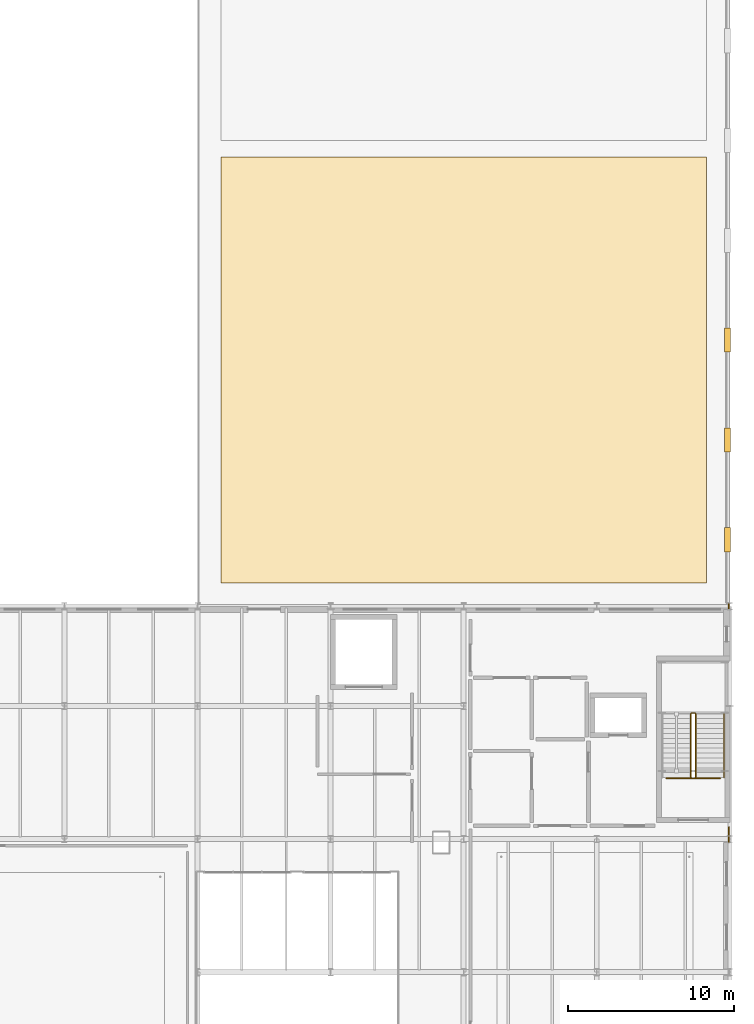
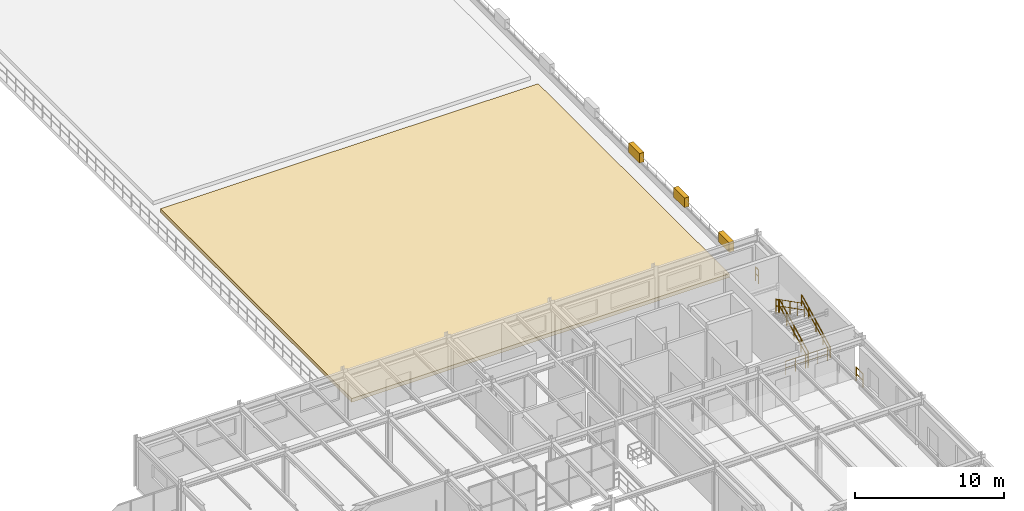
# One storey, part 66 of 67: 9 railings, 4 coverings.
"""IFC4 building model written with IfcOpenShell, lengths in metres."""

import ifcopenshell
import ifcopenshell.guid

model = None  # the IFC model being written
_history = None  # IfcOwnerHistory: only IFC2X3 demands one
_inside = {}  # id of a spatial element -> (the spatial element, [elements in it])
_under = {}  # id of a project, library or spatial element -> (it, [spatial elements below it])
_declared = {}  # id of a project -> (the project, [libraries it declares])
_typed = {}  # id of a type object -> (the type object, [elements of that type])
_made_of = {}  # id of a material, layer set ... -> (it, [elements and type objects made of it])


def new_model(schema):
    """Start an empty IFC model of exactly this schema.

    Asked for "IFC4X3", IfcOpenShell would pick the latest addendum, in which some entities
    have other attributes; the version numbers below select the first issue.
    IFC2X3 requires an IfcOwnerHistory on every rooted entity: one is made here for all.
    """
    global model, _history
    if schema == "IFC4X3":
        model = ifcopenshell.file(schema_version=(4, 3, 0, 0))
    else:
        model = ifcopenshell.file(schema=schema)
    _inside.clear()
    _under.clear()
    _declared.clear()
    _typed.clear()
    _made_of.clear()
    _history = None
    if model.schema == "IFC2X3":
        org = make("IfcOrganization", Name="unknown")
        user = make(
            "IfcPersonAndOrganization",
            ThePerson=make("IfcPerson", FamilyName="unknown"),
            TheOrganization=org,
        )
        app = make(
            "IfcApplication",
            ApplicationDeveloper=org,
            Version="unknown",
            ApplicationFullName="unknown",
            ApplicationIdentifier="unknown",
        )
        _history = make(
            "IfcOwnerHistory",
            OwningUser=user,
            OwningApplication=app,
            ChangeAction="ADDED",
            CreationDate=0,
        )
    return model


def make(cls, **values):
    """One entity of the class cls with the attributes given. An attribute that is None is left unset."""
    return model.create_entity(
        cls, **{name: value for name, value in values.items() if value is not None}
    )


def rooted(cls, **values):
    """An entity with a GlobalId (a new one), such as an element, a storey or a relation."""
    return make(cls, GlobalId=ifcopenshell.guid.new(), OwnerHistory=_history, **values)


def si_unit(unit_type, name, prefix=None):
    """IfcSIUnit, for example si_unit("LENGTHUNIT", "METRE", prefix="MILLI")."""
    return make("IfcSIUnit", UnitType=unit_type, Prefix=prefix, Name=name)


def assignment(units):
    """IfcUnitAssignment: the units of a project."""
    return None if units is None else make("IfcUnitAssignment", Units=units)


def point(xyz):
    """IfcCartesianPoint."""
    return None if xyz is None else make("IfcCartesianPoint", Coordinates=xyz)


def direction(xyz):
    """IfcDirection."""
    return None if xyz is None else make("IfcDirection", DirectionRatios=xyz)


def frame(location, z_axis=None, x_axis=None):
    """IfcAxis2Placement3D, a coordinate frame: its origin and axes. An axis left out is left unset."""
    return make(
        "IfcAxis2Placement3D",
        Location=point(location),
        Axis=direction(z_axis),
        RefDirection=direction(x_axis),
    )


def frame_2d(location, x_axis=None):
    """IfcAxis2Placement2D, a coordinate frame in the plane: its origin and x axis."""
    return make(
        "IfcAxis2Placement2D", Location=point(location), RefDirection=direction(x_axis)
    )


def origin():
    """The frame at (0, 0, 0) with its axes left unset."""
    return frame((0.0, 0.0, 0.0))


def origin_2d():
    """The frame at (0, 0) in the plane with its x axis left unset."""
    return frame_2d((0.0, 0.0))


def place(relative_to, where):
    """IfcLocalPlacement: puts the frame where relative to a parent placement (None: the world)."""
    return make(
        "IfcLocalPlacement", PlacementRelTo=relative_to, RelativePlacement=where
    )


def context(
    kind, dimensions, precision=None, world=None, true_north=None, identifier=None
):
    """IfcGeometricRepresentationContext, for example the 3D "Model" context."""
    return make(
        "IfcGeometricRepresentationContext",
        ContextIdentifier=identifier,
        ContextType=kind,
        CoordinateSpaceDimension=dimensions,
        Precision=precision,
        WorldCoordinateSystem=world,
        TrueNorth=true_north,
    )


def subcontext(parent, identifier, kind, view, scale=None):
    """IfcGeometricRepresentationSubContext, for example "Body" below "Model"."""
    return make(
        "IfcGeometricRepresentationSubContext",
        ContextIdentifier=identifier,
        ContextType=kind,
        ParentContext=parent,
        TargetScale=scale,
        TargetView=view,
    )


def project(units=None, contexts=None):
    """IfcProject with its units and contexts."""
    return rooted(
        "IfcProject",
        Name="project",
        RepresentationContexts=contexts,
        UnitsInContext=assignment(units),
    )


def spatial(cls, under=None, at=None, **own):
    """A site, building, storey or space (cls), placed at a placement, below another one or the project."""
    s = rooted(cls, ObjectPlacement=at, **own)
    if under is not None:
        _under.setdefault(under.id(), (under, []))[1].append(s)
    return s


def polyline(points):
    """IfcPolyline through the points."""
    return make("IfcPolyline", Points=[point(p) for p in points])


def profile(cls, at=None, kind="AREA", **sizes):
    """A parametric profile (cls). Its sizes go by their IFC names, for example OverallWidth=200.0."""
    return make(cls, ProfileType=kind, Position=at, **sizes)


def rectangle(**sizes):
    """IfcRectangleProfileDef."""
    return profile("IfcRectangleProfileDef", **sizes)


def circle(**sizes):
    """IfcCircleProfileDef."""
    return profile("IfcCircleProfileDef", **sizes)


def outline(outer, holes=None, kind="AREA"):
    """IfcArbitraryClosedProfileDef: a profile drawn as a closed curve; with holes, ...WithVoids."""
    if holes is None:
        return make("IfcArbitraryClosedProfileDef", ProfileType=kind, OuterCurve=outer)
    return make(
        "IfcArbitraryProfileDefWithVoids",
        ProfileType=kind,
        OuterCurve=outer,
        InnerCurves=holes,
    )


def extrude(swept, where, along, depth):
    """IfcExtrudedAreaSolid: the profile swept, set in the frame where, extruded along a direction by depth."""
    return make(
        "IfcExtrudedAreaSolid",
        SweptArea=swept,
        Position=where,
        ExtrudedDirection=direction(along),
        Depth=depth,
    )


def shape(context_of_items, identifier, shape_type, items):
    """IfcShapeRepresentation: the items that make up one representation, for example the "Body"."""
    return make(
        "IfcShapeRepresentation",
        ContextOfItems=context_of_items,
        RepresentationIdentifier=identifier,
        RepresentationType=shape_type,
        Items=items,
    )


def material(Name=None, Category=None):
    """IfcMaterial."""
    return make("IfcMaterial", Name=Name, Category=Category)


def layer(
    of_material, thickness, ventilated=None, Name=None, Category=None, Priority=None
):
    """IfcMaterialLayer: one layer of a wall or slab, of a material (None: an air gap)."""
    return make(
        "IfcMaterialLayer",
        Material=of_material,
        LayerThickness=thickness,
        IsVentilated=ventilated,
        Name=Name,
        Category=Category,
        Priority=Priority,
    )


def layer_set(layers, Name=None):
    """IfcMaterialLayerSet."""
    return make("IfcMaterialLayerSet", MaterialLayers=layers, LayerSetName=Name)


def made_of(thing, what):
    """Note that an element or type object is made of a material, layer set ...; save() writes the relation."""
    if what is not None:
        _made_of.setdefault(what.id(), (what, []))[1].append(thing)
    return thing


def type_object(cls, material=None, **own):
    """A type object (cls), such as IfcWallType, which elements share."""
    return made_of(rooted(cls, **own), material)


def element(
    cls,
    number,
    at=None,
    inside=None,
    cuts=None,
    type_object=None,
    material=None,
    context=None,
    identifier="Body",
    shape_type=None,
    held_by="IfcProductDefinitionShape",
    body=None,
    shapes=None,
    **own,
):
    """One element of the class cls, such as IfcWall. Its Tag is "e" and its number.

    at: its placement. inside: the storey or other place that contains it. cuts: it is an
    opening in that element (IfcRelVoidsElement). A single representation is given by context,
    identifier, shape_type and body (its items); several are given by shapes. held_by: the class
    of the entity that holds the representations. save() writes the other relations.
    """
    e = rooted(cls, Tag="e%d" % number, ObjectPlacement=at, **own)
    if body is not None:
        shapes = [shape(context, identifier, shape_type, body)]
    if shapes is not None:
        e.Representation = make(held_by, Representations=shapes)
    if inside is not None:
        _inside.setdefault(inside.id(), (inside, []))[1].append(e)
    if cuts is not None:
        rooted(
            "IfcRelVoidsElement", RelatingBuildingElement=cuts, RelatedOpeningElement=e
        )
    if type_object is not None:
        _typed.setdefault(type_object.id(), (type_object, []))[1].append(e)
    return made_of(e, material)


def aggregate(whole, parts):
    """IfcRelAggregates: a whole, such as a stair, and the parts it consists of."""
    return rooted("IfcRelAggregates", RelatingObject=whole, RelatedObjects=parts)


def save(model, path):
    """Write the relations noted so far, then the file.

    IfcRelAggregates (storeys below a building ...), IfcRelContainedInSpatialStructure (elements
    in a storey), IfcRelDefinesByType, IfcRelAssociatesMaterial and IfcRelDeclares: one each for
    every whole, place, type object, material and project.
    """
    for whole, parts in _under.values():
        aggregate(whole, parts)
    for where, things in _inside.values():
        rooted(
            "IfcRelContainedInSpatialStructure",
            RelatedElements=things,
            RelatingStructure=where,
        )
    for kind, things in _typed.values():
        rooted("IfcRelDefinesByType", RelatedObjects=things, RelatingType=kind)
    for what, things in _made_of.values():
        rooted("IfcRelAssociatesMaterial", RelatedObjects=things, RelatingMaterial=what)
    for by, libraries in _declared.values():
        rooted("IfcRelDeclares", RelatingContext=by, RelatedDefinitions=libraries)
    model.write(path)


model = new_model("IFC4")

# Units and contexts
model_context = context("Model", 3, precision=1e-05, world=origin(), true_north=direction((0.0, 1.0)))
body_context = subcontext(model_context, "Body", "Model", "MODEL_VIEW")
ifc_project = project(units=[si_unit("LENGTHUNIT", "METRE"), si_unit("AREAUNIT", "SQUARE_METRE"), si_unit("VOLUMEUNIT", "CUBIC_METRE"), si_unit("PLANEANGLEUNIT", "RADIAN"), si_unit("MASSUNIT", "GRAM", prefix="KILO")], contexts=[model_context])

# Site, building, storey
site_placement = place(None, origin())
site = spatial("IfcSite", under=ifc_project, at=site_placement, CompositionType="ELEMENT")
building_placement = place(site_placement, origin())
building = spatial("IfcBuilding", under=site, at=building_placement, Name="Sundkrona Museum", CompositionType="ELEMENT")
storey_placement = place(building_placement, frame((0.0, 0.0, 21.800048828125)))
storey = spatial("IfcBuildingStorey", under=building, at=storey_placement, Name="L04", CompositionType="ELEMENT", Elevation=21.800048828125)

# Coverings
ifc_material_1 = material(Name="Frost-Resistant Vitrified Stoneware Mosaic Cladding", Category="masonry")
ifc_layer_1 = layer(ifc_material_1, 0.044921875)
ifc_layer_set_1 = layer_set([ifc_layer_1], Name="Frost-Resistant Vitrified Stoneware Mosaic Cladding")
covering_type_1 = type_object("IfcCoveringType", Name="COV-CLD-MOS", PredefinedType="CLADDING", material=ifc_layer_set_1)
for number, where, z_axis, x_axis, name in (
    (1, (167.85009765625, 50.0, 0.52978515625), (0.0, 0.0, 1.0), (1.0, 0.0, 0.0), "Catalan Modernisme Stepped Ceramic Merlon 07"),
    (2, (167.85009765625, 56.0, 0.52978515625), (0.0, 0.0, 1.0), (1.0, 0.0, 0.0), "Catalan Modernisme Stepped Ceramic Merlon 08"),
    (3, (167.85009765625, 62.0, 0.52978515625), (0.0, 0.0, 1.0), (1.0, 0.0, 0.0), "Catalan Modernisme Stepped Ceramic Merlon 09"),
):
    element("IfcCovering", number, at=place(storey_placement, frame(where, z_axis=z_axis, x_axis=x_axis)), inside=storey, type_object=covering_type_1, Name=name, PredefinedType="CLADDING", context=body_context, shape_type="SweptSolid", body=[
        extrude(rectangle(XDim=0.360107421875, YDim=1.449951171875, at=origin_2d()), origin(), (0.0, 0.0, 1.0), 0.780029296875),
    ])
ifc_material_2 = material(Name="Extensive Sedum Planting Substrate and Root-Barrier Membrane", Category="other")
ifc_layer_2 = layer(ifc_material_2, 0.300048828125)
ifc_layer_set_2 = layer_set([ifc_layer_2], Name="Extensive Sedum Planting Substrate and Root-Barrier Membrane")
covering_type_2 = type_object("IfcCoveringType", Name="COV-RF-GRN", PredefinedType="ROOFING", material=ifc_layer_set_2)
covering_placement = place(storey_placement, origin())
element("IfcCovering", 4, at=covering_placement, inside=storey, type_object=covering_type_2, Name="L04 Sedum Stormwater Roof Garden Build-Up (COV-GRN-L04-TR5A)", PredefinedType="ROOFING", context=body_context, shape_type="SweptSolid", body=[
    extrude(outline(polyline([(137.39990234375, 47.39990234375), (166.60009765625, 47.39990234375), (166.60009765625, 73.0), (137.39990234375, 73.0), (137.39990234375, 47.39990234375)])), origin(), (0.0, 0.0, 1.0), 0.300048828125),
])

# Railings
ifc_material_3 = material(Name="Painted Steel S355J2 and Laminated Glass Balustrade", Category="steel")
railing_type_1 = type_object("IfcRailingType", Name="RL-GUARD-1100", PredefinedType="BALUSTRADE", material=ifc_material_3)
railing_1_placement = place(storey_placement, frame((165.949951171875, 35.699951171875, 0.14990234375)))
element("IfcRailing", 5, at=railing_1_placement, inside=storey, type_object=railing_type_1, Name="L04 ST-1 stair guard 1", PredefinedType="BALUSTRADE", context=body_context, shape_type="SweptSolid", body=[
    extrude(circle(Radius=0.02392578125, at=origin_2d()), frame((0.0, 0.0, 1.076171875), z_axis=(0.0, 0.891387850335, 0.453241326752), x_axis=(-1.0, 0.0, 0.0)), (0.0, 0.0, 1.0), 4.30224609375),
    extrude(circle(Radius=0.02392578125, at=origin_2d()), frame((0.0, 0.0, 0.550048828125), z_axis=(0.0, 0.891387850335, 0.453241326752), x_axis=(-1.0, 0.0, 0.0)), (0.0, 0.0, 1.0), 4.30224609375),
    extrude(circle(Radius=0.02099609375, at=origin_2d()), origin(), (0.0, 0.0, 1.0), 1.052001953125),
    extrude(circle(Radius=0.02099609375, at=origin_2d()), frame((0.0, 0.958740234375, 0.487548828125)), (0.0, 0.0, 1.0), 1.052001953125),
    extrude(circle(Radius=0.02099609375, at=origin_2d()), frame((0.0, 1.91748046875, 0.97509765625)), (0.0, 0.0, 1.0), 1.052001953125),
    extrude(circle(Radius=0.02099609375, at=origin_2d()), frame((0.0, 2.876220703125, 1.46240234375)), (0.0, 0.0, 1.0), 1.052001953125),
    extrude(circle(Radius=0.02099609375, at=origin_2d()), frame((0.0, 3.8349609375, 1.949951171875)), (0.0, 0.0, 1.0), 1.052001953125),
])
railing_2_placement = place(storey_placement, frame((165.89990234375, 39.5849609375, 2.099853515625)))
element("IfcRailing", 6, at=railing_2_placement, inside=storey, type_object=railing_type_1, Name="L04 ST-1 stair guard 2", PredefinedType="BALUSTRADE", context=body_context, shape_type="SweptSolid", body=[
    extrude(circle(Radius=0.02392578125, at=origin_2d()), frame((0.0, 0.0, 1.076171875), z_axis=(-1.0, 0.0, 0.0), x_axis=(0.0, -1.0, 0.0)), (0.0, 0.0, 1.0), 0.199951171875),
    extrude(circle(Radius=0.02392578125, at=origin_2d()), frame((0.0, 0.0, 0.550048828125), z_axis=(-1.0, 0.0, 0.0), x_axis=(0.0, -1.0, 0.0)), (0.0, 0.0, 1.0), 0.199951171875),
    extrude(circle(Radius=0.02099609375, at=origin_2d()), origin(), (0.0, 0.0, 1.0), 1.052001953125),
    extrude(circle(Radius=0.02099609375, at=origin_2d()), frame((-0.199951171875, 0.0, 0.0)), (0.0, 0.0, 1.0), 1.052001953125),
])
railing_3_placement = place(storey_placement, frame((165.64990234375, 39.534912109375, 2.25)))
element("IfcRailing", 7, at=railing_3_placement, inside=storey, type_object=railing_type_1, Name="L04 ST-1 stair guard 3", PredefinedType="BALUSTRADE", context=body_context, shape_type="SweptSolid", body=[
    extrude(circle(Radius=0.02392578125, at=origin_2d()), frame((0.0, 0.0, 1.076171875), z_axis=(0.0, -0.891387850335, 0.453241326752), x_axis=(1.0, 0.0, 0.0)), (0.0, 0.0, 1.0), 4.30224609375),
    extrude(circle(Radius=0.02392578125, at=origin_2d()), frame((0.0, 0.0, 0.550048828125), z_axis=(0.0, -0.891387850335, 0.453241326752), x_axis=(1.0, 0.0, 0.0)), (0.0, 0.0, 1.0), 4.30224609375),
    extrude(circle(Radius=0.02099609375, at=origin_2d()), origin(), (0.0, 0.0, 1.0), 1.052001953125),
    extrude(circle(Radius=0.02099609375, at=origin_2d()), frame((0.0, -0.958740234375, 0.487548828125)), (0.0, 0.0, 1.0), 1.052001953125),
    extrude(circle(Radius=0.02099609375, at=origin_2d()), frame((0.0, -1.91748046875, 0.97509765625)), (0.0, 0.0, 1.0), 1.052001953125),
    extrude(circle(Radius=0.02099609375, at=origin_2d()), frame((0.0, -2.876220703125, 1.46240234375)), (0.0, 0.0, 1.0), 1.052001953125),
    extrude(circle(Radius=0.02099609375, at=origin_2d()), frame((0.0, -3.8349609375, 1.949951171875)), (0.0, 0.0, 1.0), 1.052001953125),
])
railing_4_placement = place(storey_placement, frame((165.89990234375, 35.64990234375, 0.0)))
element("IfcRailing", 8, at=railing_4_placement, inside=storey, type_object=railing_type_1, Name="L04 ST-1 stair guard 4", PredefinedType="BALUSTRADE", context=body_context, shape_type="SweptSolid", body=[
    extrude(circle(Radius=0.02392578125, at=origin_2d()), frame((0.0, 0.0, 1.076171875), z_axis=(-1.0, 0.0, 0.0), x_axis=(0.0, -1.0, 0.0)), (0.0, 0.0, 1.0), 0.199951171875),
    extrude(circle(Radius=0.02392578125, at=origin_2d()), frame((0.0, 0.0, 0.550048828125), z_axis=(-1.0, 0.0, 0.0), x_axis=(0.0, -1.0, 0.0)), (0.0, 0.0, 1.0), 0.199951171875),
    extrude(circle(Radius=0.02099609375, at=origin_2d()), origin(), (0.0, 0.0, 1.0), 1.052001953125),
    extrude(circle(Radius=0.02099609375, at=origin_2d()), frame((-0.199951171875, 0.0, 0.0)), (0.0, 0.0, 1.0), 1.052001953125),
])
for number, where, name in (
    (9, (164.179931640625, 35.6650390625, 0.0), "L04 Edge Protection Balustrade 034"),
    (10, (165.89990234375, 35.6650390625, 0.0), "L04 Edge Protection Balustrade 035"),
):
    element("IfcRailing", number, at=place(storey_placement, frame(where)), inside=storey, type_object=railing_type_1, Name=name, PredefinedType="BALUSTRADE", context=body_context, shape_type="SweptSolid", body=[
        extrude(circle(Radius=0.02392578125, at=origin_2d()), frame((0.0, 0.0, 1.09619140625), z_axis=(1.0, 0.0, 0.0), x_axis=(0.0, 1.0, 0.0)), (0.0, 0.0, 1.0), 1.52001953125),
        extrude(circle(Radius=0.02392578125, at=origin_2d()), frame((0.0, 0.0, 0.56005859375), z_axis=(1.0, 0.0, 0.0), x_axis=(0.0, 1.0, 0.0)), (0.0, 0.0, 1.0), 1.52001953125),
        extrude(circle(Radius=0.02099609375, at=origin_2d()), origin(), (0.0, 0.0, 1.0), 1.072021484375),
        extrude(circle(Radius=0.02099609375, at=origin_2d()), frame((0.760009765625, 0.0, 0.0)), (0.0, 0.0, 1.0), 1.072021484375),
        extrude(circle(Radius=0.02099609375, at=origin_2d()), frame((1.52001953125, 0.0, 0.0)), (0.0, 0.0, 1.0), 1.072021484375),
    ])
railing_5_placement = place(storey_placement, frame((167.93994140625, 32.719970703125, 0.0)))
element("IfcRailing", 11, at=railing_5_placement, inside=storey, type_object=railing_type_1, Name="L04 Edge Protection Balustrade 039", PredefinedType="BALUSTRADE", context=body_context, shape_type="SweptSolid", body=[
    extrude(circle(Radius=0.02392578125, at=origin_2d()), frame((0.0, 0.0, 1.09619140625), z_axis=(0.0, -1.0, 0.0), x_axis=(1.0, 0.0, 0.0)), (0.0, 0.0, 1.0), 0.921875),
    extrude(circle(Radius=0.02392578125, at=origin_2d()), frame((0.0, 0.0, 0.56005859375), z_axis=(0.0, -1.0, 0.0), x_axis=(1.0, 0.0, 0.0)), (0.0, 0.0, 1.0), 0.921875),
    extrude(circle(Radius=0.02099609375, at=origin_2d()), origin(), (0.0, 0.0, 1.0), 1.072021484375),
    extrude(circle(Radius=0.02099609375, at=origin_2d()), frame((0.0, -0.921875, 0.0)), (0.0, 0.0, 1.0), 1.072021484375),
])
railing_6_placement = place(storey_placement, frame((167.93994140625, 46.199951171875, 0.0)))
element("IfcRailing", 12, at=railing_6_placement, inside=storey, type_object=railing_type_1, Name="L04 Edge Protection Balustrade 040", PredefinedType="BALUSTRADE", context=body_context, shape_type="SweptSolid", body=[
    extrude(circle(Radius=0.02392578125, at=origin_2d()), frame((0.0, 0.0, 1.09619140625), z_axis=(0.0, -1.0, 0.0), x_axis=(1.0, 0.0, 0.0)), (0.0, 0.0, 1.0), 0.40185546875),
    extrude(circle(Radius=0.02392578125, at=origin_2d()), frame((0.0, 0.0, 0.56005859375), z_axis=(0.0, -1.0, 0.0), x_axis=(1.0, 0.0, 0.0)), (0.0, 0.0, 1.0), 0.40185546875),
    extrude(circle(Radius=0.02099609375, at=origin_2d()), origin(), (0.0, 0.0, 1.0), 1.072021484375),
    extrude(circle(Radius=0.02099609375, at=origin_2d()), frame((0.0, -0.40185546875, 0.0)), (0.0, 0.0, 1.0), 1.072021484375),
])
ifc_material_4 = material(Name="Brushed Bronze-Clad Steel Handrail", Category="steel")
railing_type_2 = type_object("IfcRailingType", Name="RL-HAND-900", PredefinedType="HANDRAIL", material=ifc_material_4)
railing_7_placement = place(storey_placement, frame((167.64990234375, 35.699951171875, 0.14990234375)))
element("IfcRailing", 13, at=railing_7_placement, inside=storey, type_object=railing_type_2, Name="L04 ST-1 stair handrail 1", PredefinedType="HANDRAIL", context=body_context, shape_type="SweptSolid", body=[
    extrude(circle(Radius=0.02392578125, at=origin_2d()), frame((0.0, 0.0, 0.8759765625), z_axis=(0.0, 0.891387850335, 0.453241326752), x_axis=(-1.0, 0.0, 0.0)), (0.0, 0.0, 1.0), 4.30224609375),
    extrude(circle(Radius=0.02392578125, at=origin_2d()), frame((0.0, 0.0, 0.449951171875), z_axis=(0.0, 0.891387850335, 0.453241326752), x_axis=(-1.0, 0.0, 0.0)), (0.0, 0.0, 1.0), 4.30224609375),
    extrude(circle(Radius=0.02099609375, at=origin_2d()), origin(), (0.0, 0.0, 1.0), 0.851806640625),
    extrude(circle(Radius=0.02099609375, at=origin_2d()), frame((0.0, 0.958740234375, 0.487548828125)), (0.0, 0.0, 1.0), 0.851806640625),
    extrude(circle(Radius=0.02099609375, at=origin_2d()), frame((0.0, 1.91748046875, 0.97509765625)), (0.0, 0.0, 1.0), 0.851806640625),
    extrude(circle(Radius=0.02099609375, at=origin_2d()), frame((0.0, 2.876220703125, 1.46240234375)), (0.0, 0.0, 1.0), 0.851806640625),
    extrude(circle(Radius=0.02099609375, at=origin_2d()), frame((0.0, 3.8349609375, 1.949951171875)), (0.0, 0.0, 1.0), 0.851806640625),
])

save(model, "model.ifc")
